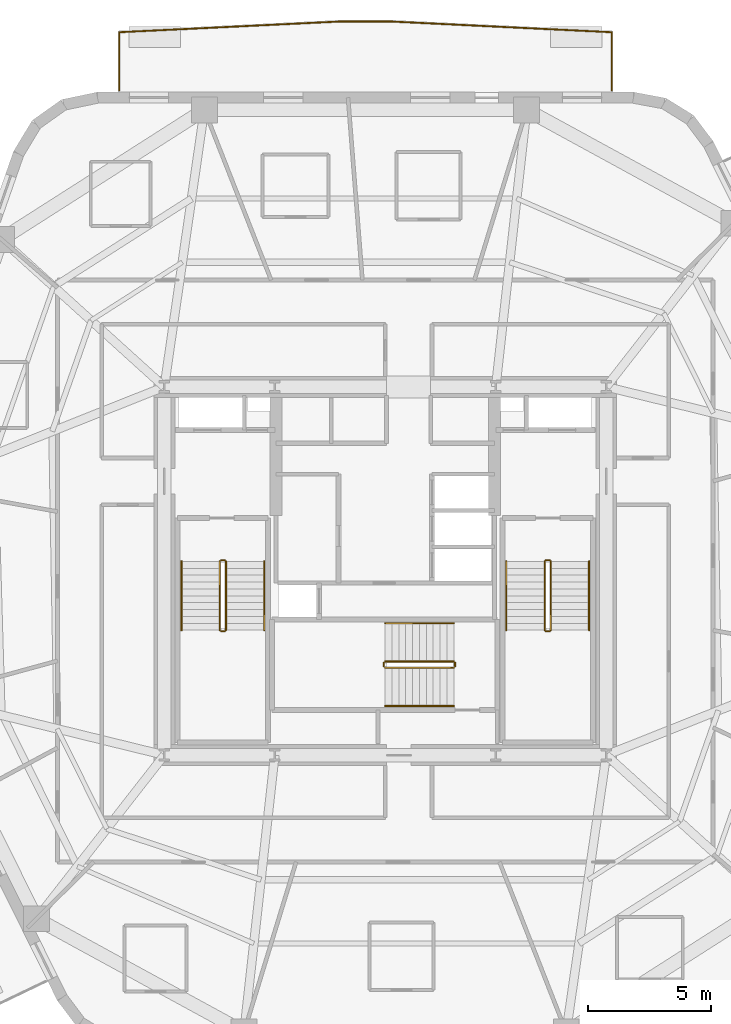
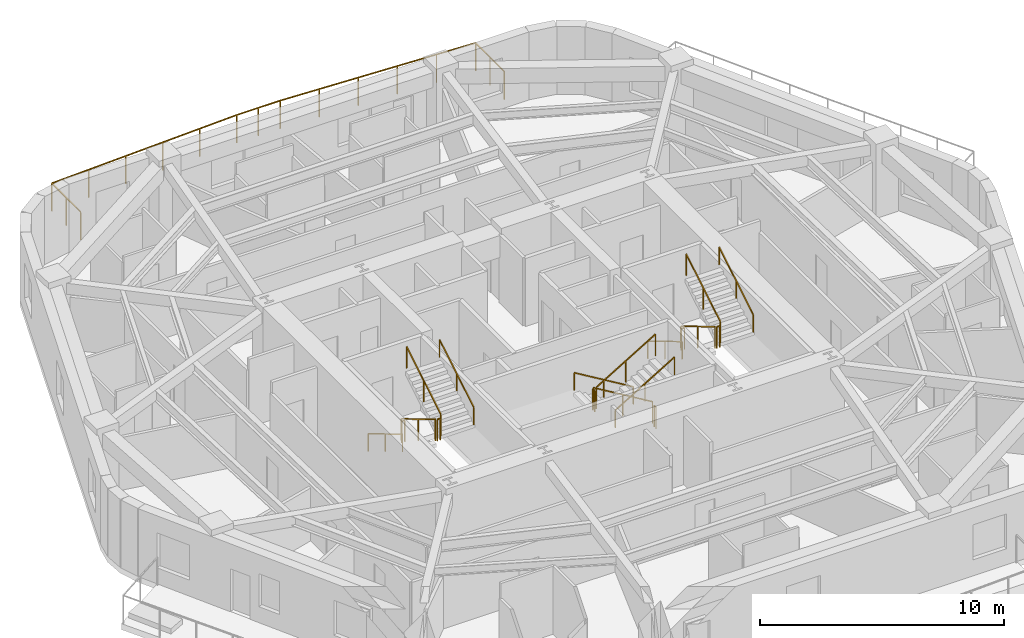
# One storey, part 9 of 10: 19 railings.
"""IFC4 building model written with IfcOpenShell, lengths in metres."""

from ifc_helpers import new_model, si_unit, direction, frame, origin, origin_2d, place, context, subcontext, project, spatial, rectangle, extrude, material, layer, layer_set, type_object, element, save


model = new_model("IFC4")

# Units and contexts
model_context = context("Model", 3, precision=1e-05, world=origin(), true_north=direction((0.0, 1.0)))
body_context = subcontext(model_context, "Body", "Model", "MODEL_VIEW")
ifc_project = project(units=[si_unit("LENGTHUNIT", "METRE"), si_unit("AREAUNIT", "SQUARE_METRE"), si_unit("VOLUMEUNIT", "CUBIC_METRE"), si_unit("PLANEANGLEUNIT", "RADIAN"), si_unit("MASSUNIT", "GRAM", prefix="KILO")], contexts=[model_context])

# Site, building, storey
site_placement = place(None, origin())
site = spatial("IfcSite", under=ifc_project, at=site_placement, CompositionType="ELEMENT")
building_placement = place(site_placement, origin())
building = spatial("IfcBuilding", under=site, at=building_placement, Name="Kilnhurst Terrace Hotel", CompositionType="ELEMENT")
storey_placement = place(building_placement, frame((0.0, 0.0, 151.699951171875)))
storey = spatial("IfcBuildingStorey", under=building, at=storey_placement, Name="L37", CompositionType="ELEMENT", Elevation=151.699951171875)

# Railings
ifc_material_1 = material(Name="Laminated SentryGlas and Stainless Steel AISI 316L Balustrade", Category="steel")
ifc_layer_1 = layer(ifc_material_1, 0.070068359375, Name="Laminated SentryGlas and Stainless Steel AISI 316L Balustrade")
ifc_layer_set_1 = layer_set([ifc_layer_1], Name="Laminated SentryGlas and Stainless Steel AISI 316L Balustrade")
railing_type_1 = type_object("IfcRailingType", Name="RLG-BAL-1420", PredefinedType="BALUSTRADE", material=ifc_layer_set_1)
railing_1_placement = place(storey_placement, frame((-10.83349609375, 19.580078125, 0.0)))
element("IfcRailing", 1, at=railing_1_placement, inside=storey, type_object=railing_type_1, Name="L37 Exterior Terrace Guardrail BAL-L1B.1", PredefinedType="BALUSTRADE", context=body_context, shape_type="SweptSolid", body=[
    extrude(rectangle(XDim=0.048095703125, YDim=0.048095703125, at=origin_2d()), frame((0.0, 0.0, 1.39599609375), z_axis=(0.0, 1.0, 0.0), x_axis=(-1.0, 0.0, 0.0)), (0.0, 0.0, 1.0), 2.36279296875),
    extrude(rectangle(XDim=0.048095703125, YDim=0.048095703125, at=origin_2d()), frame((0.0, 2.36279296875, 1.39599609375), z_axis=(0.998822813861, 0.048507592295, 0.0), x_axis=(-0.048507592295, 0.998822813861, 0.0)), (0.0, 0.0, 1.0), 9.009033203125),
    extrude(rectangle(XDim=0.048095703125, YDim=0.048095703125, at=origin_2d()), frame((8.99853515625, 2.7998046875, 1.39599609375), z_axis=(1.0, 0.0, 0.0), x_axis=(0.0, 1.0, 0.0)), (0.0, 0.0, 1.0), 2.0556640625),
    extrude(rectangle(XDim=0.048095703125, YDim=0.048095703125, at=origin_2d()), frame((11.05419921875, 2.7998046875, 1.39599609375), z_axis=(0.998822813861, -0.048507592295, 0.0), x_axis=(0.048507592295, 0.998822813861, 0.0)), (0.0, 0.0, 1.0), 9.009033203125),
    extrude(rectangle(XDim=0.048095703125, YDim=0.048095703125, at=origin_2d()), frame((20.052734375, 2.36279296875, 1.39599609375), z_axis=(0.0, -1.0, 0.0), x_axis=(1.0, 0.0, 0.0)), (0.0, 0.0, 1.0), 2.36279296875),
    extrude(rectangle(XDim=0.0419921875, YDim=0.0419921875, at=origin_2d()), origin(), (0.0, 0.0, 1.0), 1.371826171875),
    extrude(rectangle(XDim=0.0419921875, YDim=0.0419921875, at=origin_2d()), frame((0.0, 1.181396484375, 0.0)), (0.0, 0.0, 1.0), 1.371826171875),
    extrude(rectangle(XDim=0.0419921875, YDim=0.0419921875, at=origin_2d()), frame((0.0, 2.36279296875, 0.0)), (0.0, 0.0, 1.0), 1.371826171875),
    extrude(rectangle(XDim=0.0419921875, YDim=0.0419921875, at=origin_2d()), frame((1.7998046875, 2.4501953125, 0.0)), (0.0, 0.0, 1.0), 1.371826171875),
    extrude(rectangle(XDim=0.0419921875, YDim=0.0419921875, at=origin_2d()), frame((3.599365234375, 2.53759765625, 0.0)), (0.0, 0.0, 1.0), 1.371826171875),
    extrude(rectangle(XDim=0.0419921875, YDim=0.0419921875, at=origin_2d()), frame((5.399169921875, 2.625, 0.0)), (0.0, 0.0, 1.0), 1.371826171875),
    extrude(rectangle(XDim=0.0419921875, YDim=0.0419921875, at=origin_2d()), frame((7.19873046875, 2.71240234375, 0.0)), (0.0, 0.0, 1.0), 1.371826171875),
    extrude(rectangle(XDim=0.0419921875, YDim=0.0419921875, at=origin_2d()), frame((8.99853515625, 2.7998046875, 0.0)), (0.0, 0.0, 1.0), 1.371826171875),
    extrude(rectangle(XDim=0.0419921875, YDim=0.0419921875, at=origin_2d()), frame((10.0263671875, 2.7998046875, 0.0)), (0.0, 0.0, 1.0), 1.371826171875),
    extrude(rectangle(XDim=0.0419921875, YDim=0.0419921875, at=origin_2d()), frame((11.05419921875, 2.7998046875, 0.0)), (0.0, 0.0, 1.0), 1.371826171875),
    extrude(rectangle(XDim=0.0419921875, YDim=0.0419921875, at=origin_2d()), frame((12.85400390625, 2.71240234375, 0.0)), (0.0, 0.0, 1.0), 1.371826171875),
    extrude(rectangle(XDim=0.0419921875, YDim=0.0419921875, at=origin_2d()), frame((14.653564453125, 2.625, 0.0)), (0.0, 0.0, 1.0), 1.371826171875),
    extrude(rectangle(XDim=0.0419921875, YDim=0.0419921875, at=origin_2d()), frame((16.453369140625, 2.53759765625, 0.0)), (0.0, 0.0, 1.0), 1.371826171875),
    extrude(rectangle(XDim=0.0419921875, YDim=0.0419921875, at=origin_2d()), frame((18.2529296875, 2.4501953125, 0.0)), (0.0, 0.0, 1.0), 1.371826171875),
    extrude(rectangle(XDim=0.0419921875, YDim=0.0419921875, at=origin_2d()), frame((20.052734375, 2.36279296875, 0.0)), (0.0, 0.0, 1.0), 1.371826171875),
    extrude(rectangle(XDim=0.0419921875, YDim=0.0419921875, at=origin_2d()), frame((20.052734375, 1.181396484375, 0.0)), (0.0, 0.0, 1.0), 1.371826171875),
    extrude(rectangle(XDim=0.0419921875, YDim=0.0419921875, at=origin_2d()), frame((20.052734375, 0.0, 0.0)), (0.0, 0.0, 1.0), 1.371826171875),
])
ifc_material_2 = material(Name="Powder-Coated Steel ASTM A500 Grade B", Category="steel")
ifc_layer_2 = layer(ifc_material_2, 0.050048828125, Name="Powder-Coated Steel ASTM A500 Grade B")
ifc_layer_set_2 = layer_set([ifc_layer_2], Name="Powder-Coated Steel ASTM A500 Grade B")
railing_type_2 = type_object("IfcRailingType", Name="RLG-ST-GRD-1100", PredefinedType="GUARDRAIL", material=ifc_layer_set_2)
railing_2_placement = place(storey_placement, frame((-6.739990234375, 0.389892578125, 0.168212890625)))
element("IfcRailing", 2, at=railing_2_placement, inside=storey, type_object=railing_type_2, Name="L37 ST-1 stair guard 1", PredefinedType="GUARDRAIL", context=body_context, shape_type="SweptSolid", body=[
    extrude(rectangle(XDim=0.048095703125, YDim=0.048095703125, at=origin_2d()), frame((0.0, 0.0, 1.076171875), z_axis=(0.0, -0.857222391501, 0.514946377315), x_axis=(1.0, 0.0, 0.0)), (0.0, 0.0, 1.0), 3.26611328125),
    extrude(rectangle(XDim=0.0419921875, YDim=0.0419921875, at=origin_2d()), origin(), (0.0, 0.0, 1.0), 1.052001953125),
    extrude(rectangle(XDim=0.0419921875, YDim=0.0419921875, at=origin_2d()), frame((0.0, -1.39990234375, 0.8408203125)), (0.0, 0.0, 1.0), 1.052001953125),
    extrude(rectangle(XDim=0.0419921875, YDim=0.0419921875, at=origin_2d()), frame((0.0, -2.7998046875, 1.681884765625)), (0.0, 0.0, 1.0), 1.052001953125),
])
railing_3_placement = place(storey_placement, frame((-6.68994140625, -2.4599609375, 1.85009765625)))
element("IfcRailing", 3, at=railing_3_placement, inside=storey, type_object=railing_type_2, Name="L37 ST-1 stair guard 2", PredefinedType="GUARDRAIL", context=body_context, shape_type="SweptSolid", body=[
    extrude(rectangle(XDim=0.048095703125, YDim=0.048095703125, at=origin_2d()), frame((0.0, 0.0, 1.076171875), z_axis=(1.0, 0.0, 0.0), x_axis=(0.0, 1.0, 0.0)), (0.0, 0.0, 1.0), 0.14990234375),
    extrude(rectangle(XDim=0.0419921875, YDim=0.0419921875, at=origin_2d()), origin(), (0.0, 0.0, 1.0), 1.052001953125),
    extrude(rectangle(XDim=0.0419921875, YDim=0.0419921875, at=origin_2d()), frame((0.14990234375, 0.0, 0.0)), (0.0, 0.0, 1.0), 1.052001953125),
])
railing_4_placement = place(storey_placement, frame((-6.489990234375, -2.409912109375, 2.018310546875)))
element("IfcRailing", 4, at=railing_4_placement, inside=storey, type_object=railing_type_2, Name="L37 ST-1 stair guard 3", PredefinedType="GUARDRAIL", context=body_context, shape_type="SweptSolid", body=[
    extrude(rectangle(XDim=0.048095703125, YDim=0.048095703125, at=origin_2d()), frame((0.0, 0.0, 1.076171875), z_axis=(0.0, 0.857255387014, 0.514891446264), x_axis=(-1.0, 0.0, 0.0)), (0.0, 0.0, 1.0), 3.26611328125),
    extrude(rectangle(XDim=0.0419921875, YDim=0.0419921875, at=origin_2d()), origin(), (0.0, 0.0, 1.0), 1.052001953125),
    extrude(rectangle(XDim=0.0419921875, YDim=0.0419921875, at=origin_2d()), frame((0.0, 1.39990234375, 0.8408203125)), (0.0, 0.0, 1.0), 1.052001953125),
    extrude(rectangle(XDim=0.0419921875, YDim=0.0419921875, at=origin_2d()), frame((0.0, 2.7998046875, 1.681640625)), (0.0, 0.0, 1.0), 1.052001953125),
])
railing_5_placement = place(storey_placement, frame((-6.68994140625, 0.43994140625, 0.0)))
element("IfcRailing", 5, at=railing_5_placement, inside=storey, type_object=railing_type_2, Name="L37 ST-1 stair guard 4", PredefinedType="GUARDRAIL", context=body_context, shape_type="SweptSolid", body=[
    extrude(rectangle(XDim=0.048095703125, YDim=0.048095703125, at=origin_2d()), frame((0.0, 0.0, 1.076171875), z_axis=(1.0, 0.0, 0.0), x_axis=(0.0, 1.0, 0.0)), (0.0, 0.0, 1.0), 0.14990234375),
    extrude(rectangle(XDim=0.0419921875, YDim=0.0419921875, at=origin_2d()), origin(), (0.0, 0.0, 1.0), 1.052001953125),
    extrude(rectangle(XDim=0.0419921875, YDim=0.0419921875, at=origin_2d()), frame((0.14990234375, 0.0, 0.0)), (0.0, 0.0, 1.0), 1.052001953125),
])
railing_6_placement = place(storey_placement, frame((6.489990234375, 0.389892578125, 0.168212890625)))
element("IfcRailing", 6, at=railing_6_placement, inside=storey, type_object=railing_type_2, Name="L37 ST-2 stair guard 1", PredefinedType="GUARDRAIL", context=body_context, shape_type="SweptSolid", body=[
    extrude(rectangle(XDim=0.048095703125, YDim=0.048095703125, at=origin_2d()), frame((0.0, 0.0, 1.076171875), z_axis=(0.0, -0.857222391501, 0.514946377315), x_axis=(1.0, 0.0, 0.0)), (0.0, 0.0, 1.0), 3.26611328125),
    extrude(rectangle(XDim=0.0419921875, YDim=0.0419921875, at=origin_2d()), origin(), (0.0, 0.0, 1.0), 1.052001953125),
    extrude(rectangle(XDim=0.0419921875, YDim=0.0419921875, at=origin_2d()), frame((0.0, -1.39990234375, 0.8408203125)), (0.0, 0.0, 1.0), 1.052001953125),
    extrude(rectangle(XDim=0.0419921875, YDim=0.0419921875, at=origin_2d()), frame((0.0, -2.7998046875, 1.681884765625)), (0.0, 0.0, 1.0), 1.052001953125),
])
railing_7_placement = place(storey_placement, frame((6.5400390625, -2.4599609375, 1.85009765625)))
element("IfcRailing", 7, at=railing_7_placement, inside=storey, type_object=railing_type_2, Name="L37 ST-2 stair guard 2", PredefinedType="GUARDRAIL", context=body_context, shape_type="SweptSolid", body=[
    extrude(rectangle(XDim=0.048095703125, YDim=0.048095703125, at=origin_2d()), frame((0.0, 0.0, 1.076171875), z_axis=(1.0, 0.0, 0.0), x_axis=(0.0, 1.0, 0.0)), (0.0, 0.0, 1.0), 0.14990234375),
    extrude(rectangle(XDim=0.0419921875, YDim=0.0419921875, at=origin_2d()), origin(), (0.0, 0.0, 1.0), 1.052001953125),
    extrude(rectangle(XDim=0.0419921875, YDim=0.0419921875, at=origin_2d()), frame((0.14990234375, 0.0, 0.0)), (0.0, 0.0, 1.0), 1.052001953125),
])
railing_8_placement = place(storey_placement, frame((6.739990234375, -2.409912109375, 2.018310546875)))
element("IfcRailing", 8, at=railing_8_placement, inside=storey, type_object=railing_type_2, Name="L37 ST-2 stair guard 3", PredefinedType="GUARDRAIL", context=body_context, shape_type="SweptSolid", body=[
    extrude(rectangle(XDim=0.048095703125, YDim=0.048095703125, at=origin_2d()), frame((0.0, 0.0, 1.076171875), z_axis=(0.0, 0.857255387014, 0.514891446264), x_axis=(-1.0, 0.0, 0.0)), (0.0, 0.0, 1.0), 3.26611328125),
    extrude(rectangle(XDim=0.0419921875, YDim=0.0419921875, at=origin_2d()), origin(), (0.0, 0.0, 1.0), 1.052001953125),
    extrude(rectangle(XDim=0.0419921875, YDim=0.0419921875, at=origin_2d()), frame((0.0, 1.39990234375, 0.8408203125)), (0.0, 0.0, 1.0), 1.052001953125),
    extrude(rectangle(XDim=0.0419921875, YDim=0.0419921875, at=origin_2d()), frame((0.0, 2.7998046875, 1.681640625)), (0.0, 0.0, 1.0), 1.052001953125),
])
railing_9_placement = place(storey_placement, frame((6.5400390625, 0.43994140625, 0.0)))
element("IfcRailing", 9, at=railing_9_placement, inside=storey, type_object=railing_type_2, Name="L37 ST-2 stair guard 4", PredefinedType="GUARDRAIL", context=body_context, shape_type="SweptSolid", body=[
    extrude(rectangle(XDim=0.048095703125, YDim=0.048095703125, at=origin_2d()), frame((0.0, 0.0, 1.076171875), z_axis=(1.0, 0.0, 0.0), x_axis=(0.0, 1.0, 0.0)), (0.0, 0.0, 1.0), 0.14990234375),
    extrude(rectangle(XDim=0.0419921875, YDim=0.0419921875, at=origin_2d()), origin(), (0.0, 0.0, 1.0), 1.052001953125),
    extrude(rectangle(XDim=0.0419921875, YDim=0.0419921875, at=origin_2d()), frame((0.14990234375, 0.0, 0.0)), (0.0, 0.0, 1.0), 1.052001953125),
])
railing_10_placement = place(storey_placement, frame((2.7900390625, -3.68994140625, 0.168212890625)))
element("IfcRailing", 10, at=railing_10_placement, inside=storey, type_object=railing_type_2, Name="L37 ST-3 stair guard 1", PredefinedType="GUARDRAIL", context=body_context, shape_type="SweptSolid", body=[
    extrude(rectangle(XDim=0.048095703125, YDim=0.048095703125, at=origin_2d()), frame((0.0, 0.0, 1.076171875), z_axis=(-0.857242210791, 0.0, 0.514913383045), x_axis=(0.0, -1.0, 0.0)), (0.0, 0.0, 1.0), 3.266357421875),
    extrude(rectangle(XDim=0.0419921875, YDim=0.0419921875, at=origin_2d()), origin(), (0.0, 0.0, 1.0), 1.052001953125),
    extrude(rectangle(XDim=0.0419921875, YDim=0.0419921875, at=origin_2d()), frame((-1.39990234375, 0.0, 0.8408203125)), (0.0, 0.0, 1.0), 1.052001953125),
    extrude(rectangle(XDim=0.0419921875, YDim=0.0419921875, at=origin_2d()), frame((-2.800048828125, 0.0, 1.681884765625)), (0.0, 0.0, 1.0), 1.052001953125),
])
railing_11_placement = place(storey_placement, frame((-0.06005859375, -3.739990234375, 1.85009765625)))
element("IfcRailing", 11, at=railing_11_placement, inside=storey, type_object=railing_type_2, Name="L37 ST-3 stair guard 2", PredefinedType="GUARDRAIL", context=body_context, shape_type="SweptSolid", body=[
    extrude(rectangle(XDim=0.048095703125, YDim=0.048095703125, at=origin_2d()), frame((0.0, 0.0, 1.076171875), z_axis=(0.0, -1.0, 0.0), x_axis=(1.0, 0.0, 0.0)), (0.0, 0.0, 1.0), 0.14990234375),
    extrude(rectangle(XDim=0.0419921875, YDim=0.0419921875, at=origin_2d()), origin(), (0.0, 0.0, 1.0), 1.052001953125),
    extrude(rectangle(XDim=0.0419921875, YDim=0.0419921875, at=origin_2d()), frame((0.0, -0.14990234375, 0.0)), (0.0, 0.0, 1.0), 1.052001953125),
])
railing_12_placement = place(storey_placement, frame((-0.010009765625, -3.93994140625, 2.018310546875)))
element("IfcRailing", 12, at=railing_12_placement, inside=storey, type_object=railing_type_2, Name="L37 ST-3 stair guard 3", PredefinedType="GUARDRAIL", context=body_context, shape_type="SweptSolid", body=[
    extrude(rectangle(XDim=0.048095703125, YDim=0.048095703125, at=origin_2d()), frame((0.0, 0.0, 1.076171875), z_axis=(0.857275202839, 0.0, 0.514858452973), x_axis=(0.0, 1.0, 0.0)), (0.0, 0.0, 1.0), 3.26611328125),
    extrude(rectangle(XDim=0.0419921875, YDim=0.0419921875, at=origin_2d()), origin(), (0.0, 0.0, 1.0), 1.052001953125),
    extrude(rectangle(XDim=0.0419921875, YDim=0.0419921875, at=origin_2d()), frame((1.39990234375, 0.0, 0.8408203125)), (0.0, 0.0, 1.0), 1.052001953125),
    extrude(rectangle(XDim=0.0419921875, YDim=0.0419921875, at=origin_2d()), frame((2.800048828125, 0.0, 1.681640625)), (0.0, 0.0, 1.0), 1.052001953125),
])
railing_13_placement = place(storey_placement, frame((2.840087890625, -3.739990234375, 0.0)))
element("IfcRailing", 13, at=railing_13_placement, inside=storey, type_object=railing_type_2, Name="L37 ST-3 stair guard 4", PredefinedType="GUARDRAIL", context=body_context, shape_type="SweptSolid", body=[
    extrude(rectangle(XDim=0.048095703125, YDim=0.048095703125, at=origin_2d()), frame((0.0, 0.0, 1.076171875), z_axis=(0.0, -1.0, 0.0), x_axis=(1.0, 0.0, 0.0)), (0.0, 0.0, 1.0), 0.14990234375),
    extrude(rectangle(XDim=0.0419921875, YDim=0.0419921875, at=origin_2d()), origin(), (0.0, 0.0, 1.0), 1.052001953125),
    extrude(rectangle(XDim=0.0419921875, YDim=0.0419921875, at=origin_2d()), frame((0.0, -0.14990234375, 0.0)), (0.0, 0.0, 1.0), 1.052001953125),
])
ifc_material_3 = material(Name="Brushed Stainless Steel AISI 304", Category="steel")
ifc_layer_3 = layer(ifc_material_3, 0.048095703125, Name="Brushed Stainless Steel AISI 304")
ifc_layer_set_3 = layer_set([ifc_layer_3], Name="Brushed Stainless Steel AISI 304")
railing_type_3 = type_object("IfcRailingType", Name="RLG-ST-HRL-900", PredefinedType="HANDRAIL", material=ifc_layer_set_3)
railing_14_placement = place(storey_placement, frame((-8.300048828125, 0.389892578125, 0.168212890625)))
element("IfcRailing", 14, at=railing_14_placement, inside=storey, type_object=railing_type_3, Name="L37 ST-1 stair handrail 1", PredefinedType="HANDRAIL", context=body_context, shape_type="SweptSolid", body=[
    extrude(rectangle(XDim=0.048095703125, YDim=0.048095703125, at=origin_2d()), frame((0.0, 0.0, 0.8759765625), z_axis=(0.0, -0.857222391501, 0.514946377315), x_axis=(1.0, 0.0, 0.0)), (0.0, 0.0, 1.0), 3.26611328125),
    extrude(rectangle(XDim=0.0419921875, YDim=0.0419921875, at=origin_2d()), origin(), (0.0, 0.0, 1.0), 0.851806640625),
    extrude(rectangle(XDim=0.0419921875, YDim=0.0419921875, at=origin_2d()), frame((0.0, -1.39990234375, 0.8408203125)), (0.0, 0.0, 1.0), 0.851806640625),
    extrude(rectangle(XDim=0.0419921875, YDim=0.0419921875, at=origin_2d()), frame((0.0, -2.7998046875, 1.681884765625)), (0.0, 0.0, 1.0), 0.851806640625),
])
railing_15_placement = place(storey_placement, frame((-4.929931640625, -2.409912109375, 2.018310546875)))
element("IfcRailing", 15, at=railing_15_placement, inside=storey, type_object=railing_type_3, Name="L37 ST-1 stair handrail 2", PredefinedType="HANDRAIL", context=body_context, shape_type="SweptSolid", body=[
    extrude(rectangle(XDim=0.048095703125, YDim=0.048095703125, at=origin_2d()), frame((0.0, 0.0, 0.8759765625), z_axis=(0.0, 0.857255387014, 0.514891446264), x_axis=(-1.0, 0.0, 0.0)), (0.0, 0.0, 1.0), 3.26611328125),
    extrude(rectangle(XDim=0.0419921875, YDim=0.0419921875, at=origin_2d()), origin(), (0.0, 0.0, 1.0), 0.851806640625),
    extrude(rectangle(XDim=0.0419921875, YDim=0.0419921875, at=origin_2d()), frame((0.0, 1.39990234375, 0.8408203125)), (0.0, 0.0, 1.0), 0.851806640625),
    extrude(rectangle(XDim=0.0419921875, YDim=0.0419921875, at=origin_2d()), frame((0.0, 2.7998046875, 1.681640625)), (0.0, 0.0, 1.0), 0.851806640625),
])
railing_16_placement = place(storey_placement, frame((4.929931640625, 0.389892578125, 0.168212890625)))
element("IfcRailing", 16, at=railing_16_placement, inside=storey, type_object=railing_type_3, Name="L37 ST-2 stair handrail 1", PredefinedType="HANDRAIL", context=body_context, shape_type="SweptSolid", body=[
    extrude(rectangle(XDim=0.048095703125, YDim=0.048095703125, at=origin_2d()), frame((0.0, 0.0, 0.8759765625), z_axis=(0.0, -0.857222391501, 0.514946377315), x_axis=(1.0, 0.0, 0.0)), (0.0, 0.0, 1.0), 3.26611328125),
    extrude(rectangle(XDim=0.0419921875, YDim=0.0419921875, at=origin_2d()), origin(), (0.0, 0.0, 1.0), 0.851806640625),
    extrude(rectangle(XDim=0.0419921875, YDim=0.0419921875, at=origin_2d()), frame((0.0, -1.39990234375, 0.8408203125)), (0.0, 0.0, 1.0), 0.851806640625),
    extrude(rectangle(XDim=0.0419921875, YDim=0.0419921875, at=origin_2d()), frame((0.0, -2.7998046875, 1.681884765625)), (0.0, 0.0, 1.0), 0.851806640625),
])
railing_17_placement = place(storey_placement, frame((8.300048828125, -2.409912109375, 2.018310546875)))
element("IfcRailing", 17, at=railing_17_placement, inside=storey, type_object=railing_type_3, Name="L37 ST-2 stair handrail 2", PredefinedType="HANDRAIL", context=body_context, shape_type="SweptSolid", body=[
    extrude(rectangle(XDim=0.048095703125, YDim=0.048095703125, at=origin_2d()), frame((0.0, 0.0, 0.8759765625), z_axis=(0.0, 0.857255387014, 0.514891446264), x_axis=(-1.0, 0.0, 0.0)), (0.0, 0.0, 1.0), 3.26611328125),
    extrude(rectangle(XDim=0.0419921875, YDim=0.0419921875, at=origin_2d()), origin(), (0.0, 0.0, 1.0), 0.851806640625),
    extrude(rectangle(XDim=0.0419921875, YDim=0.0419921875, at=origin_2d()), frame((0.0, 1.39990234375, 0.8408203125)), (0.0, 0.0, 1.0), 0.851806640625),
    extrude(rectangle(XDim=0.0419921875, YDim=0.0419921875, at=origin_2d()), frame((0.0, 2.7998046875, 1.681640625)), (0.0, 0.0, 1.0), 0.851806640625),
])
railing_18_placement = place(storey_placement, frame((2.7900390625, -2.1298828125, 0.168212890625)))
element("IfcRailing", 18, at=railing_18_placement, inside=storey, type_object=railing_type_3, Name="L37 ST-3 stair handrail 1", PredefinedType="HANDRAIL", context=body_context, shape_type="SweptSolid", body=[
    extrude(rectangle(XDim=0.048095703125, YDim=0.048095703125, at=origin_2d()), frame((0.0, 0.0, 0.8759765625), z_axis=(-0.857242210791, 0.0, 0.514913383045), x_axis=(0.0, -1.0, 0.0)), (0.0, 0.0, 1.0), 3.266357421875),
    extrude(rectangle(XDim=0.0419921875, YDim=0.0419921875, at=origin_2d()), origin(), (0.0, 0.0, 1.0), 0.851806640625),
    extrude(rectangle(XDim=0.0419921875, YDim=0.0419921875, at=origin_2d()), frame((-1.39990234375, 0.0, 0.8408203125)), (0.0, 0.0, 1.0), 0.851806640625),
    extrude(rectangle(XDim=0.0419921875, YDim=0.0419921875, at=origin_2d()), frame((-2.800048828125, 0.0, 1.681884765625)), (0.0, 0.0, 1.0), 0.851806640625),
])
railing_19_placement = place(storey_placement, frame((-0.010009765625, -5.5, 2.018310546875)))
element("IfcRailing", 19, at=railing_19_placement, inside=storey, type_object=railing_type_3, Name="L37 ST-3 stair handrail 2", PredefinedType="HANDRAIL", context=body_context, shape_type="SweptSolid", body=[
    extrude(rectangle(XDim=0.048095703125, YDim=0.048095703125, at=origin_2d()), frame((0.0, 0.0, 0.8759765625), z_axis=(0.857275202839, 0.0, 0.514858452973), x_axis=(0.0, 1.0, 0.0)), (0.0, 0.0, 1.0), 3.26611328125),
    extrude(rectangle(XDim=0.0419921875, YDim=0.0419921875, at=origin_2d()), origin(), (0.0, 0.0, 1.0), 0.851806640625),
    extrude(rectangle(XDim=0.0419921875, YDim=0.0419921875, at=origin_2d()), frame((1.39990234375, 0.0, 0.8408203125)), (0.0, 0.0, 1.0), 0.851806640625),
    extrude(rectangle(XDim=0.0419921875, YDim=0.0419921875, at=origin_2d()), frame((2.800048828125, 0.0, 1.681640625)), (0.0, 0.0, 1.0), 0.851806640625),
])

save(model, "model.ifc")
